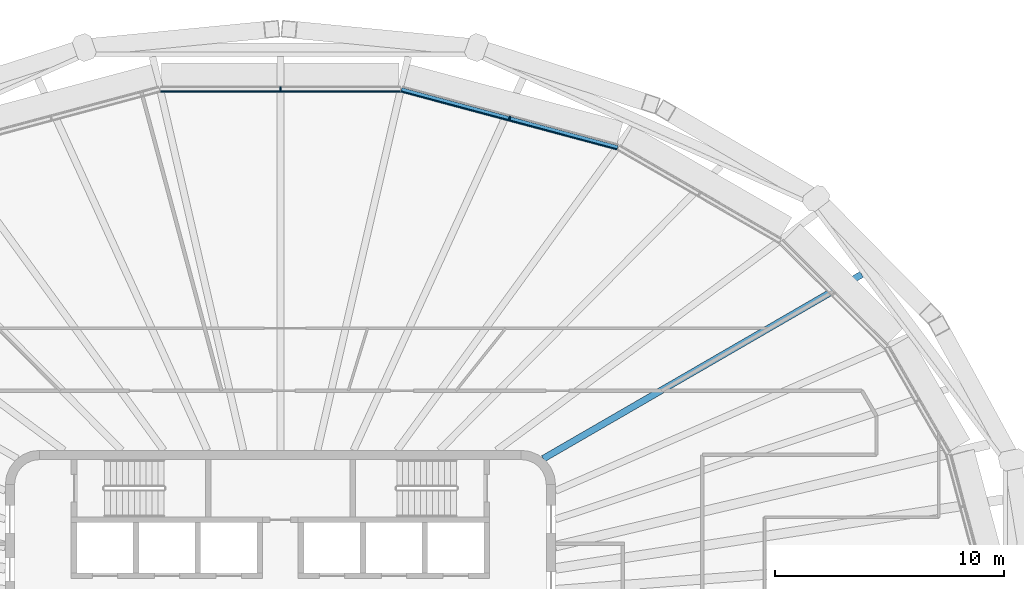
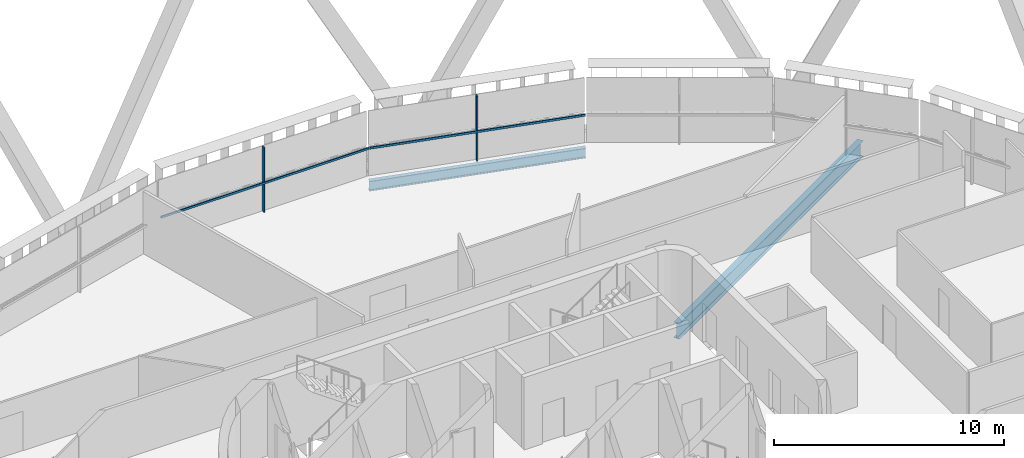
# One storey, part 9 of 22: 4 members, 2 beams, 2 elements without a shape of their own.
"""IFC4 building model written with IfcOpenShell, lengths in metres."""

from ifc_helpers import new_model, si_unit, direction, frame, origin, origin_2d, place, context, subcontext, project, spatial, rectangle, i_section, extrude, material, layer, layer_set, material_profile, profile_set, type_object, element, aggregate, save


model = new_model("IFC4")

# Units and contexts
model_context = context("Model", 3, precision=1e-05, world=origin(), true_north=direction((0.0, 1.0)))
body_context = subcontext(model_context, "Body", "Model", "MODEL_VIEW")
ifc_project = project(units=[si_unit("LENGTHUNIT", "METRE"), si_unit("AREAUNIT", "SQUARE_METRE"), si_unit("VOLUMEUNIT", "CUBIC_METRE"), si_unit("PLANEANGLEUNIT", "RADIAN"), si_unit("MASSUNIT", "GRAM", prefix="KILO")], contexts=[model_context])

# Site, building, storey
site_placement = place(None, origin())
site = spatial("IfcSite", under=ifc_project, at=site_placement, CompositionType="ELEMENT")
building_placement = place(site_placement, origin())
building = spatial("IfcBuilding", under=site, at=building_placement, Name="Sahrelin Media Tower", CompositionType="ELEMENT")
storey_placement = place(building_placement, frame((0.0, 0.0, 233.60009765625)))
storey = spatial("IfcBuildingStorey", under=building, at=storey_placement, Name="L50", CompositionType="ELEMENT", Elevation=233.60009765625)

# Beam
ifc_material_1 = material(Name="Steel S355", Category="steel")
ifc_material_profile_1 = material_profile(ifc_material_1, i_section(OverallWidth=0.208740234375, OverallDepth=0.5283203125, WebThickness=0.009521484375, FlangeThickness=0.01318359375, FilletRadius=0.0126953125, at=origin_2d()), Name="UB 533x210x82")
ifc_profile_set_1 = profile_set([ifc_material_profile_1], Name="Steel S355")
beam_type_1 = type_object("IfcBeamType", Name="Edge beam EB6", PredefinedType="BEAM", material=ifc_profile_set_1)
beam_1_placement = place(storey_placement, frame((5.27197265625, 22.71533203125, -0.414306640625), z_axis=(0.965929187001, -0.258806502428, 0.0), x_axis=(0.258806502428, 0.965929187001, 0.0)))
element("IfcBeam", 1, at=beam_1_placement, inside=storey, type_object=beam_type_1, Name="Edge beam L50-20", PredefinedType="BEAM", context=body_context, shape_type="SweptSolid", body=[
    extrude(i_section(OverallWidth=0.208740234375, OverallDepth=0.5283203125, WebThickness=0.009521484375, FlangeThickness=0.01318359375, FilletRadius=0.0126953125, at=origin_2d()), origin(), (0.0, 0.0, 1.0), 9.762451171875),
])

# Curtain wall, member
ifc_material_2 = material(Name="Champagne anodised aluminium 6063-T6", Category="aluminium")
ifc_layer = layer(ifc_material_2, 0.14990234375)
ifc_layer_set = layer_set([ifc_layer], Name="Tower ribbon curtain wall")
curtain_wall_type = type_object("IfcCurtainWallType", Name="Tower ribbon curtain wall", PredefinedType="NOTDEFINED", material=ifc_layer_set)
curtain_wall_1_placement = place(storey_placement, frame((10.025634765625, 21.596923828125, 0.0), z_axis=(0.0, 0.0, 1.0), x_axis=(1.0, 0.0, 0.0)))
curtain_wall_1 = element("IfcCurtainWall", 2, at=curtain_wall_1_placement, inside=storey, type_object=curtain_wall_type, Name="L50:CW:L50-05", PredefinedType="NOTDEFINED")
ifc_material_profile_2 = material_profile(ifc_material_2, rectangle(XDim=0.06005859375, YDim=0.175048828125, at=origin_2d()), Name="Mullion 60x175")
ifc_profile_set_2 = profile_set([ifc_material_profile_2], Name="Champagne anodised aluminium 6063-T6")
member_type_1 = type_object("IfcMemberType", Name="Mullion 60x175 CW1B", PredefinedType="MULLION", material=ifc_profile_set_2)
member_1_placement = place(storey_placement, frame((9.997802734375, 21.4931640625, 0.0), z_axis=(0.0, 0.0, 1.0), x_axis=(-0.965925826289, 0.258819045103, 0.0)))
member_1 = element("IfcMember", 3, at=member_1_placement, type_object=member_type_1, Name="L50:CWM:L50-05", PredefinedType="MULLION", context=body_context, shape_type="SweptSolid", body=[
    extrude(rectangle(XDim=0.06005859375, YDim=0.175048828125, at=origin_2d()), origin(), (0.0, 0.0, 1.0), 3.448486328125),
])

curtain_wall_2_placement = place(storey_placement, frame((0.0, 22.869140625, 0.0), z_axis=(0.0, 0.0, 1.0), x_axis=(1.0, 0.0, 0.0)))
curtain_wall_2 = element("IfcCurtainWall", 4, at=curtain_wall_2_placement, inside=storey, type_object=curtain_wall_type, Name="L50:CW:L50-06", PredefinedType="NOTDEFINED")
member_2_placement = place(storey_placement, frame((0.0, 22.76171875, 0.0), z_axis=(0.0, 0.0, 1.0), x_axis=(-1.0, 0.0, 0.0)))
member_2 = element("IfcMember", 5, at=member_2_placement, type_object=member_type_1, Name="L50:CWM:L50-06", PredefinedType="MULLION", context=body_context, shape_type="SweptSolid", body=[
    extrude(rectangle(XDim=0.06005859375, YDim=0.175048828125, at=origin_2d()), origin(), (0.0, 0.0, 1.0), 3.448486328125),
])

# Beam
ifc_material_profile_3 = material_profile(ifc_material_1, i_section(OverallWidth=0.291748046875, OverallDepth=0.8349609375, WebThickness=0.013916015625, FlangeThickness=0.018798828125, FilletRadius=0.017822265625, at=origin_2d()), Name="UB 838x292x176")
ifc_profile_set_3 = profile_set([ifc_material_profile_3], Name="Steel S355")
beam_type_2 = type_object("IfcBeamType", Name="Radial secondary beam SB10", PredefinedType="BEAM", material=ifc_profile_set_3)
beam_2_placement = place(storey_placement, frame((11.46484375, 6.63427734375, -0.567626953125), z_axis=(0.865538050782, 0.50084317171, 0.0), x_axis=(-0.50084317171, 0.865538050782, 0.0)))
element("IfcBeam", 6, at=beam_2_placement, inside=storey, type_object=beam_type_2, Name="Secondary beam L50-03", PredefinedType="BEAM", context=body_context, shape_type="SweptSolid", body=[
    extrude(i_section(OverallWidth=0.291748046875, OverallDepth=0.8349609375, WebThickness=0.013916015625, FlangeThickness=0.018798828125, FilletRadius=0.017822265625, at=origin_2d()), origin(), (0.0, 0.0, 1.0), 16.049072265625),
])

# Member
ifc_material_profile_4 = material_profile(ifc_material_2, rectangle(XDim=0.050048828125, YDim=0.110107421875, at=origin_2d()), Name="Transom 50x110")
ifc_profile_set_4 = profile_set([ifc_material_profile_4], Name="Champagne anodised aluminium 6063-T6")
member_type_2 = type_object("IfcMemberType", Name="Transom 50x110 CW1B", PredefinedType="USERDEFINED", material=ifc_profile_set_4)
member_3_placement = place(storey_placement, frame((14.668701171875, 20.125, 1.599853515625), z_axis=(-0.965921510089, 0.258835152843, 0.0), x_axis=(-0.258835152843, -0.965921510089, 0.0)))
member_3 = element("IfcMember", 7, at=member_3_placement, type_object=member_type_2, Name="L50:CWT:L50-05", ObjectType="TRANSOM", PredefinedType="USERDEFINED", context=body_context, shape_type="SweptSolid", body=[
    extrude(rectangle(XDim=0.050048828125, YDim=0.110107421875, at=origin_2d()), origin(), (0.0, 0.0, 1.0), 9.731201171875),
])

aggregate(curtain_wall_1, [member_1, member_3])

member_4_placement = place(storey_placement, frame((5.2275390625, 22.649169921875, 1.599853515625), z_axis=(-1.0, 0.0, 0.0), x_axis=(0.0, -1.0, 0.0)))
member_4 = element("IfcMember", 8, at=member_4_placement, type_object=member_type_2, Name="L50:CWT:L50-06", ObjectType="TRANSOM", PredefinedType="USERDEFINED", context=body_context, shape_type="SweptSolid", body=[
    extrude(rectangle(XDim=0.050048828125, YDim=0.110107421875, at=origin_2d()), origin(), (0.0, 0.0, 1.0), 10.455078125),
])

aggregate(curtain_wall_2, [member_2, member_4])

save(model, "model.ifc")
